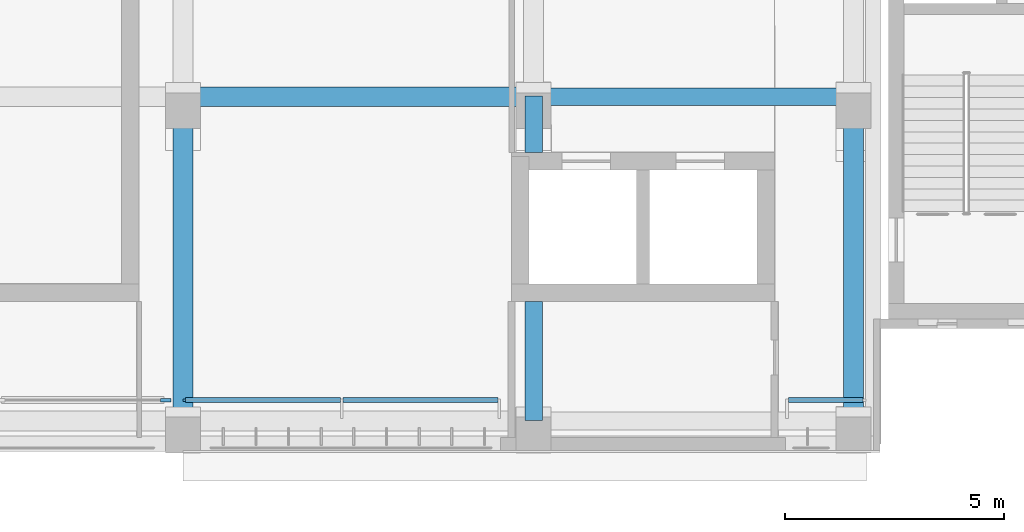
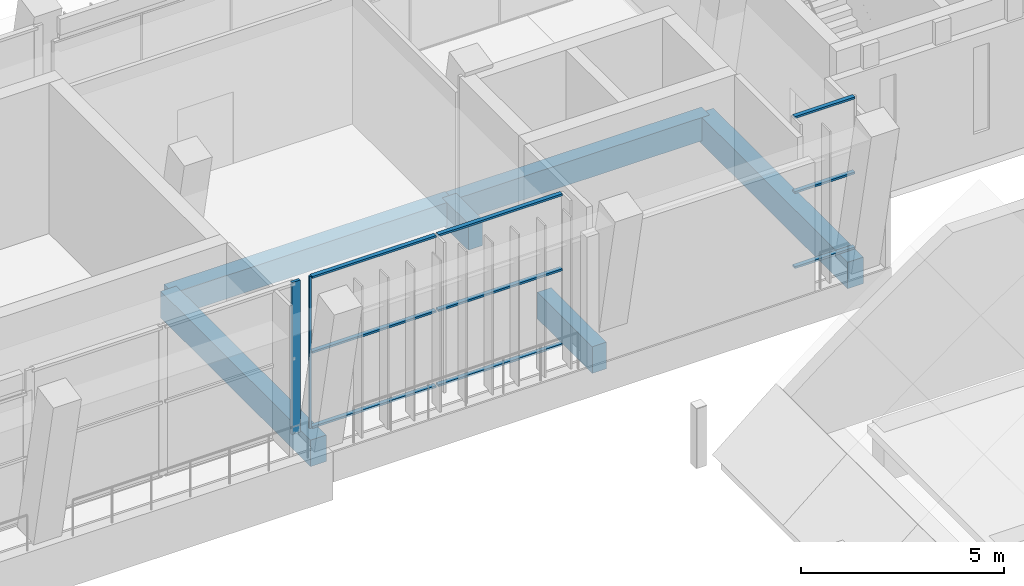
# One storey, part 18 of 89: 11 members, 6 beams, 3 elements without a shape of their own.
"""IFC4 building model written with IfcOpenShell, lengths in metres."""

from ifc_helpers import new_model, si_unit, direction, frame, origin, origin_2d, place, context, subcontext, project, spatial, rectangle, extrude, material, material_profile, profile_set, type_object, element, aggregate, save


model = new_model("IFC4")

# Units and contexts
model_context = context("Model", 3, precision=1e-05, world=origin(), true_north=direction((0.0, 1.0)))
body_context = subcontext(model_context, "Body", "Model", "MODEL_VIEW")
ifc_project = project(units=[si_unit("LENGTHUNIT", "METRE"), si_unit("AREAUNIT", "SQUARE_METRE"), si_unit("VOLUMEUNIT", "CUBIC_METRE"), si_unit("PLANEANGLEUNIT", "RADIAN"), si_unit("MASSUNIT", "GRAM", prefix="KILO")], contexts=[model_context])

# Site, building, storey
site_placement = place(None, origin())
site = spatial("IfcSite", under=ifc_project, at=site_placement, CompositionType="ELEMENT")
building_placement = place(site_placement, origin())
building = spatial("IfcBuilding", under=site, at=building_placement, Name="Lantern Court Media Centre", CompositionType="ELEMENT")
storey_placement = place(building_placement, frame((0.0, 0.0, 14.39990234375)))
storey = spatial("IfcBuildingStorey", under=building, at=storey_placement, Name="L03", CompositionType="ELEMENT", Elevation=14.39990234375)

# Curtain wall, member
ifc_material_1 = material(Name="Curtain wall bay 3000")
curtain_wall_type_1 = type_object("IfcCurtainWallType", Name="Curtain wall bay 3000", PredefinedType="NOTDEFINED", material=ifc_material_1)
curtain_wall_1_placement = place(storey_placement, origin())
curtain_wall_1 = element("IfcCurtainWall", 1, at=curtain_wall_1_placement, inside=storey, type_object=curtain_wall_type_1, Name="Curtain wall S outer L03", PredefinedType="NOTDEFINED")
ifc_material_2 = material(Name="Anodised aluminium", Category="aluminium")
ifc_material_profile_1 = material_profile(ifc_material_2, rectangle(XDim=0.06005859375, YDim=0.06005859375, at=origin_2d()), Name="AL 60x60")
ifc_profile_set_1 = profile_set([ifc_material_profile_1], Name="Anodised aluminium")
member_type_1 = type_object("IfcMemberType", Name="Curtain wall mullion 60x60", PredefinedType="MULLION", material=ifc_profile_set_1)
member_1_placement = place(storey_placement, frame((64.030029296875, 46.14990234375, 0.0), z_axis=(0.0, 0.0, 1.0), x_axis=(0.0, 1.0, 0.0)))
member_1 = element("IfcMember", 2, at=member_1_placement, type_object=member_type_1, Name="CW1 mullion 1", PredefinedType="MULLION", context=body_context, shape_type="SweptSolid", body=[
    extrude(rectangle(XDim=0.06005859375, YDim=0.06005859375, at=origin_2d()), origin(), (0.0, 0.0, 1.0), 4.580078125),
])

ifc_material_3 = material(Name="Curtain wall bay 4000")
curtain_wall_type_2 = type_object("IfcCurtainWallType", Name="Curtain wall bay 4000", PredefinedType="NOTDEFINED", material=ifc_material_3)
curtain_wall_2_placement = place(storey_placement, origin())
curtain_wall_2 = element("IfcCurtainWall", 3, at=curtain_wall_2_placement, inside=storey, type_object=curtain_wall_type_2, Name="Curtain wall S outer L03", PredefinedType="NOTDEFINED")
ifc_material_profile_2 = material_profile(ifc_material_2, rectangle(XDim=0.080078125, YDim=0.239990234375, at=origin_2d()), Name="AL 80x240")
ifc_profile_set_2 = profile_set([ifc_material_profile_2], Name="Anodised aluminium")
member_type_2 = type_object("IfcMemberType", Name="Curtain wall mullion 80x240", PredefinedType="MULLION", material=ifc_profile_set_2)
member_2_placement = place(storey_placement, frame((63.610107421875, 46.14990234375, 0.0), z_axis=(0.0, 0.0, 1.0), x_axis=(0.0, 1.0, 0.0)))
member_2 = element("IfcMember", 4, at=member_2_placement, type_object=member_type_2, Name="CW3 mullion 3", PredefinedType="MULLION", context=body_context, shape_type="SweptSolid", body=[
    extrude(rectangle(XDim=0.080078125, YDim=0.239990234375, at=origin_2d()), origin(), (0.0, 0.0, 1.0), 4.580078125),
])
aggregate(curtain_wall_2, [member_2])

# Member
ifc_material_profile_3 = material_profile(ifc_material_2, rectangle(XDim=0.1201171875, YDim=0.06005859375, at=origin_2d()), Name="AL 60x120")
ifc_profile_set_3 = profile_set([ifc_material_profile_3], Name="Anodised aluminium")
member_type_3 = type_object("IfcMemberType", Name="Curtain wall transom 60x120", PredefinedType="USERDEFINED", material=ifc_profile_set_3)
member_3_placement = place(storey_placement, frame((64.06005859375, 46.14990234375, 0.030029296875), z_axis=(1.0, 0.0, 0.0), x_axis=(0.0, 1.0, 0.0)))
member_3 = element("IfcMember", 5, at=member_3_placement, type_object=member_type_3, Name="CW1 transom 1.1", ObjectType="TRANSOM", PredefinedType="USERDEFINED", context=body_context, shape_type="SweptSolid", body=[
    extrude(rectangle(XDim=0.1201171875, YDim=0.06005859375, at=origin_2d()), origin(), (0.0, 0.0, 1.0), 3.534912109375),
])

member_4_placement = place(storey_placement, frame((64.06005859375, 46.14990234375, 2.2900390625), z_axis=(1.0, 0.0, 0.0), x_axis=(0.0, 1.0, 0.0)))
member_4 = element("IfcMember", 6, at=member_4_placement, type_object=member_type_3, Name="CW1 transom 1.2", ObjectType="TRANSOM", PredefinedType="USERDEFINED", context=body_context, shape_type="SweptSolid", body=[
    extrude(rectangle(XDim=0.1201171875, YDim=0.06005859375, at=origin_2d()), origin(), (0.0, 0.0, 1.0), 3.534912109375),
])

member_5_placement = place(storey_placement, frame((64.06005859375, 46.14990234375, 4.550048828125), z_axis=(1.0, 0.0, 0.0), x_axis=(0.0, 1.0, 0.0)))
member_5 = element("IfcMember", 7, at=member_5_placement, type_object=member_type_3, Name="CW1 transom 1.3", ObjectType="TRANSOM", PredefinedType="USERDEFINED", context=body_context, shape_type="SweptSolid", body=[
    extrude(rectangle(XDim=0.1201171875, YDim=0.06005859375, at=origin_2d()), origin(), (0.0, 0.0, 1.0), 3.534912109375),
])

member_6_placement = place(storey_placement, frame((67.655029296875, 46.14990234375, 0.030029296875), z_axis=(1.0, 0.0, 0.0), x_axis=(0.0, 1.0, 0.0)))
member_6 = element("IfcMember", 8, at=member_6_placement, type_object=member_type_3, Name="CW1 transom 2.1", ObjectType="TRANSOM", PredefinedType="USERDEFINED", context=body_context, shape_type="SweptSolid", body=[
    extrude(rectangle(XDim=0.1201171875, YDim=0.06005859375, at=origin_2d()), origin(), (0.0, 0.0, 1.0), 3.534912109375),
])

member_7_placement = place(storey_placement, frame((67.655029296875, 46.14990234375, 2.2900390625), z_axis=(1.0, 0.0, 0.0), x_axis=(0.0, 1.0, 0.0)))
member_7 = element("IfcMember", 9, at=member_7_placement, type_object=member_type_3, Name="CW1 transom 2.2", ObjectType="TRANSOM", PredefinedType="USERDEFINED", context=body_context, shape_type="SweptSolid", body=[
    extrude(rectangle(XDim=0.1201171875, YDim=0.06005859375, at=origin_2d()), origin(), (0.0, 0.0, 1.0), 3.534912109375),
])

member_8_placement = place(storey_placement, frame((67.655029296875, 46.14990234375, 4.550048828125), z_axis=(1.0, 0.0, 0.0), x_axis=(0.0, 1.0, 0.0)))
member_8 = element("IfcMember", 10, at=member_8_placement, type_object=member_type_3, Name="CW1 transom 2.3", ObjectType="TRANSOM", PredefinedType="USERDEFINED", context=body_context, shape_type="SweptSolid", body=[
    extrude(rectangle(XDim=0.1201171875, YDim=0.06005859375, at=origin_2d()), origin(), (0.0, 0.0, 1.0), 3.534912109375),
])

aggregate(curtain_wall_1, [member_1, member_3, member_4, member_5, member_6, member_7, member_8])

# Curtain wall, members
curtain_wall_3_placement = place(storey_placement, origin())
curtain_wall_3 = element("IfcCurtainWall", 11, at=curtain_wall_3_placement, inside=storey, type_object=curtain_wall_type_1, Name="Curtain wall S outer L03", PredefinedType="NOTDEFINED")
member_9_placement = place(storey_placement, frame((77.81005859375, 46.14990234375, 0.030029296875), z_axis=(1.0, 0.0, 0.0), x_axis=(0.0, 1.0, 0.0)))
member_9 = element("IfcMember", 12, at=member_9_placement, type_object=member_type_3, Name="CW1 transom 1.1", ObjectType="TRANSOM", PredefinedType="USERDEFINED", context=body_context, shape_type="SweptSolid", body=[
    extrude(rectangle(XDim=0.1201171875, YDim=0.06005859375, at=origin_2d()), origin(), (0.0, 0.0, 1.0), 1.7099609375),
])
member_10_placement = place(storey_placement, frame((77.81005859375, 46.14990234375, 2.2900390625), z_axis=(1.0, 0.0, 0.0), x_axis=(0.0, 1.0, 0.0)))
member_10 = element("IfcMember", 13, at=member_10_placement, type_object=member_type_3, Name="CW1 transom 1.2", ObjectType="TRANSOM", PredefinedType="USERDEFINED", context=body_context, shape_type="SweptSolid", body=[
    extrude(rectangle(XDim=0.1201171875, YDim=0.06005859375, at=origin_2d()), origin(), (0.0, 0.0, 1.0), 1.7099609375),
])
member_11_placement = place(storey_placement, frame((77.81005859375, 46.14990234375, 4.550048828125), z_axis=(1.0, 0.0, 0.0), x_axis=(0.0, 1.0, 0.0)))
member_11 = element("IfcMember", 14, at=member_11_placement, type_object=member_type_3, Name="CW1 transom 1.3", ObjectType="TRANSOM", PredefinedType="USERDEFINED", context=body_context, shape_type="SweptSolid", body=[
    extrude(rectangle(XDim=0.1201171875, YDim=0.06005859375, at=origin_2d()), origin(), (0.0, 0.0, 1.0), 1.7099609375),
])
aggregate(curtain_wall_3, [member_9, member_10, member_11])

# Beams
ifc_material_4 = material(Name="Concrete C35", Category="concrete")
ifc_material_profile_4 = material_profile(ifc_material_4, rectangle(XDim=0.39990234375, YDim=0.699951171875, at=origin_2d()), Name="RC 400x700")
ifc_profile_set_4 = profile_set([ifc_material_profile_4], Name="Concrete C35")
beam_type_1 = type_object("IfcBeamType", Name="RC BEAM 400x700", PredefinedType="BEAM", material=ifc_profile_set_4)
beam_1_placement = place(storey_placement, frame((72.0, 53.072998046875, -0.349853515625), z_axis=(1.0, 0.0, 0.0), x_axis=(0.0, 1.0, 0.0)))
element("IfcBeam", 15, at=beam_1_placement, inside=storey, type_object=beam_type_1, Name="LB-S-L03-1-6", PredefinedType="BEAM", context=body_context, shape_type="SweptSolid", body=[
    extrude(rectangle(XDim=0.39990234375, YDim=0.699951171875, at=origin_2d()), origin(), (0.0, 0.0, 1.0), 7.300048828125),
])
ifc_material_profile_5 = material_profile(ifc_material_4, rectangle(XDim=0.39990234375, YDim=0.800048828125, at=origin_2d()), Name="RC 400x800")
ifc_profile_set_5 = profile_set([ifc_material_profile_5], Name="Concrete C35")
beam_type_2 = type_object("IfcBeamType", Name="RC BEAM 400x800", PredefinedType="BEAM", material=ifc_profile_set_5)
beam_2_placement = place(storey_placement, frame((72.0, 45.683349609375, -0.39990234375), z_axis=(0.0, 1.0, 0.0), x_axis=(-1.0, 0.0, 0.0)))
element("IfcBeam", 16, at=beam_2_placement, inside=storey, type_object=beam_type_2, Name="TB-S-L03-6-1", PredefinedType="BEAM", context=body_context, shape_type="SweptSolid", body=[
    extrude(rectangle(XDim=0.39990234375, YDim=0.800048828125, at=origin_2d()), origin(), (0.0, 0.0, 1.0), 2.716552734375),
])
beam_3_placement = place(storey_placement, frame((72.0, 51.800048828125, -0.39990234375), z_axis=(0.0, 1.0, 0.0), x_axis=(-1.0, 0.0, 0.0)))
element("IfcBeam", 17, at=beam_3_placement, inside=storey, type_object=beam_type_2, Name="TB-S-L03-6-11", PredefinedType="BEAM", context=body_context, shape_type="SweptSolid", body=[
    extrude(rectangle(XDim=0.39990234375, YDim=0.800048828125, at=origin_2d()), origin(), (0.0, 0.0, 1.0), 1.283203125),
])
ifc_material_profile_6 = material_profile(ifc_material_4, rectangle(XDim=0.449951171875, YDim=0.699951171875, at=origin_2d()), Name="RC 450x700")
ifc_profile_set_6 = profile_set([ifc_material_profile_6], Name="Concrete C35")
beam_type_3 = type_object("IfcBeamType", Name="RC BEAM 450x700", PredefinedType="BEAM", material=ifc_profile_set_6)
beam_4_placement = place(storey_placement, frame((64.0, 53.072998046875, -0.349853515625), z_axis=(1.0, 0.0, 0.0), x_axis=(0.0, 1.0, 0.0)))
element("IfcBeam", 18, at=beam_4_placement, inside=storey, type_object=beam_type_3, Name="LB-S-L03-1-5", PredefinedType="BEAM", context=body_context, shape_type="SweptSolid", body=[
    extrude(rectangle(XDim=0.449951171875, YDim=0.699951171875, at=origin_2d()), origin(), (0.0, 0.0, 1.0), 8.0),
])
ifc_material_profile_7 = material_profile(ifc_material_4, rectangle(XDim=0.449951171875, YDim=0.800048828125, at=origin_2d()), Name="RC 450x800")
ifc_profile_set_7 = profile_set([ifc_material_profile_7], Name="Concrete C35")
beam_type_4 = type_object("IfcBeamType", Name="RC BEAM 450x800", PredefinedType="BEAM", material=ifc_profile_set_7)
for number, where, z_axis, x_axis, name in (
    (19, (64.0, 45.683349609375, -0.39990234375), (0.0, 1.0, 0.0), (-1.0, 0.0, 0.0), "TB-S-L03-5-1"),
    (20, (79.300048828125, 45.683349609375, -0.39990234375), (0.0, 1.0, 0.0), (-1.0, 0.0, 0.0), "TB-S-L03-7-1"),
):
    element("IfcBeam", number, at=place(storey_placement, frame(where, z_axis=z_axis, x_axis=x_axis)), inside=storey, type_object=beam_type_4, Name=name, PredefinedType="BEAM", context=body_context, shape_type="SweptSolid", body=[
        extrude(rectangle(XDim=0.449951171875, YDim=0.800048828125, at=origin_2d()), origin(), (0.0, 0.0, 1.0), 7.39990234375),
    ])

save(model, "model.ifc")
